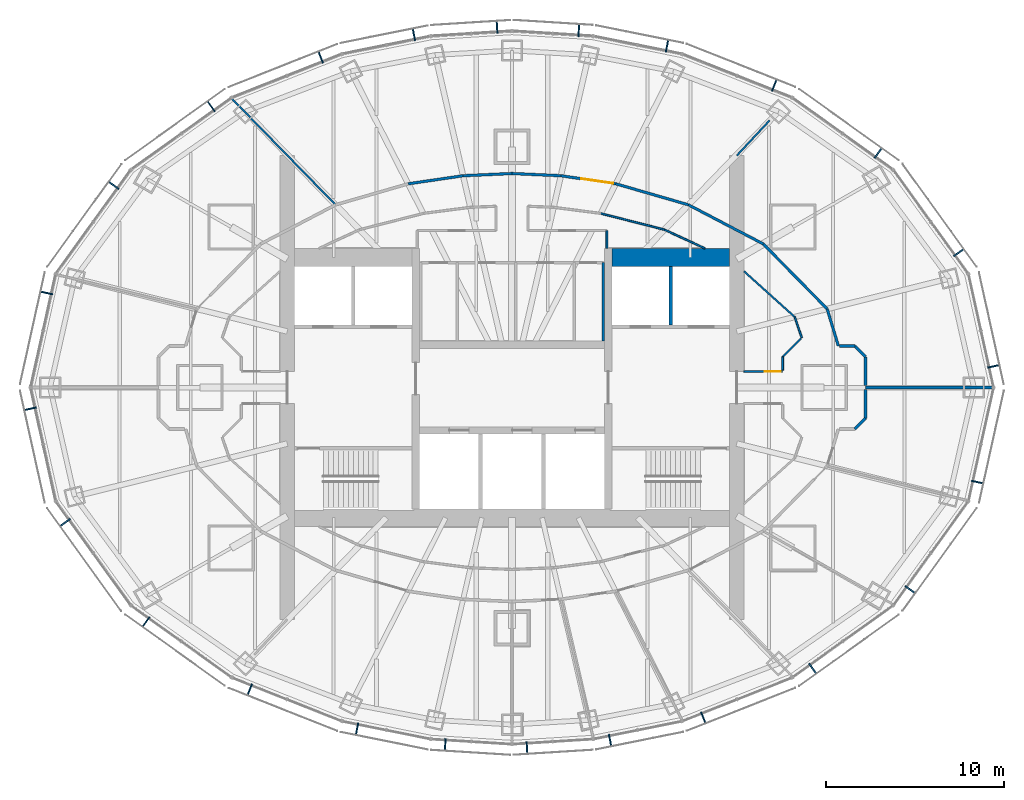
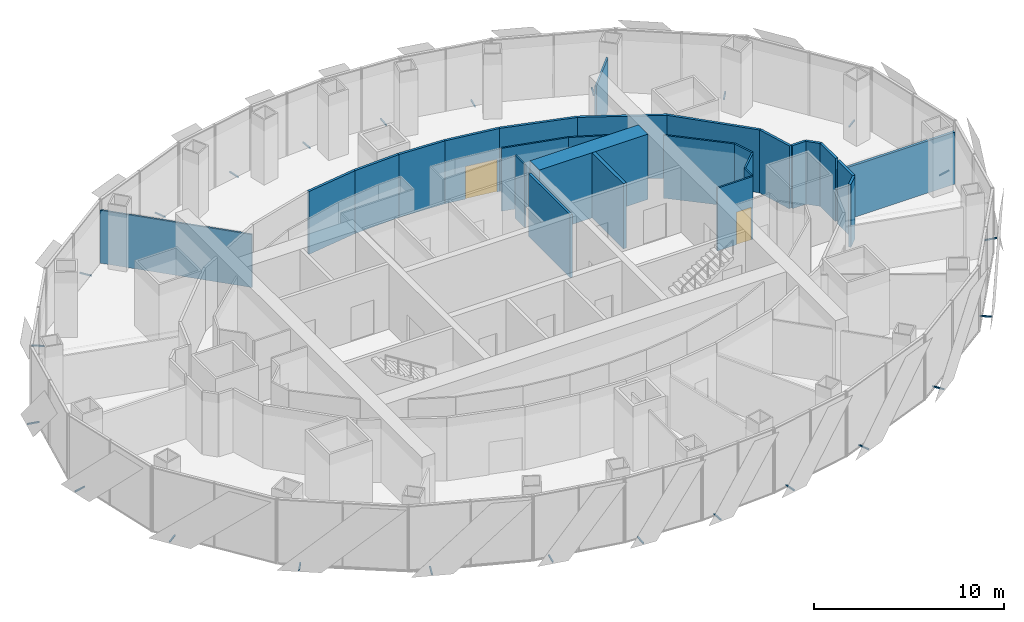
# One storey, part 14 of 17: 27 walls, 24 discrete accessories, 2 doors, 2 openings.
"""IFC4 building model written with IfcOpenShell, lengths in metres."""

from ifc_helpers import new_model, si_unit, direction, frame, frame_2d, origin, origin_2d, place, context, subcontext, project, spatial, rectangle, extrude, material, layer, layer_set, type_object, element, fill, save


model = new_model("IFC4")

# Units and contexts
model_context = context("Model", 3, precision=1e-05, world=origin(), true_north=direction((0.0, 1.0)))
body_context = subcontext(model_context, "Body", "Model", "MODEL_VIEW")
ifc_project = project(units=[si_unit("LENGTHUNIT", "METRE"), si_unit("AREAUNIT", "SQUARE_METRE"), si_unit("VOLUMEUNIT", "CUBIC_METRE"), si_unit("PLANEANGLEUNIT", "RADIAN"), si_unit("MASSUNIT", "GRAM", prefix="KILO")], contexts=[model_context])

# Site, building, storey
site_placement = place(None, origin())
site = spatial("IfcSite", under=ifc_project, at=site_placement, CompositionType="ELEMENT")
building_placement = place(site_placement, origin())
building = spatial("IfcBuilding", under=site, at=building_placement, Name="Lantaw Convention Tower", CompositionType="ELEMENT")
storey_placement = place(building_placement, frame((0.0, 0.0, 215.800048828125)))
storey = spatial("IfcBuildingStorey", under=building, at=storey_placement, Name="L50", CompositionType="ELEMENT", Elevation=215.800048828125)

# Walls
ifc_material_1 = material(Name="Concrete C60/75", Category="concrete")
ifc_layer_1 = layer(ifc_material_1, 1.0)
ifc_layer_set_1 = layer_set([ifc_layer_1], Name="Core wall 1000")
wall_type_1 = type_object("IfcWallType", Name="Core wall 1000", PredefinedType="SHEAR", material=ifc_layer_set_1)
wall_1_placement = place(storey_placement, frame((12.199951171875, 7.300048828125, 0.0), z_axis=(0.0, 0.0, 1.0), x_axis=(-1.0, 0.0, 0.0)))
element("IfcWall", 1, at=wall_1_placement, inside=storey, type_object=wall_type_1, Name="Core wall NE", PredefinedType="SHEAR", context=body_context, shape_type="SweptSolid", body=[
    extrude(rectangle(XDim=6.599853515625, YDim=1.0, at=frame_2d((3.2998046875, 0.0))), origin(), (0.0, 0.0, 1.0), 4.199951171875),
])
ifc_material_2 = material(Name="Gypsum board on steel studs, fire rated", Category="steel")
ifc_layer_2 = layer(ifc_material_2, 0.14990234375)
ifc_layer_set_2 = layer_set([ifc_layer_2], Name="Corridor wall 150 EI 60")
wall_type_2 = type_object("IfcWallType", Name="Corridor wall 150 EI 60", PredefinedType="PARTITIONING", material=ifc_layer_set_2)
wall_2_placement = place(storey_placement, frame((17.6728515625, 4.40625, 0.0), z_axis=(0.0, 0.0, 1.0), x_axis=(-0.701111216625, 0.713051934941, 0.0)))
element("IfcWall", 2, at=wall_2_placement, inside=storey, type_object=wall_type_2, Name="Corridor wall 150", PredefinedType="PARTITIONING", context=body_context, shape_type="SweptSolid", body=[
    extrude(rectangle(XDim=5.111572265625, YDim=0.14990234375, at=frame_2d((2.5556640625, 0.0))), origin(), (0.0, 0.0, 1.0), 4.050048828125),
])
wall_3_placement = place(storey_placement, frame((14.089111328125, 8.051025390625, 0.0), z_axis=(0.0, 0.0, 1.0), x_axis=(-0.886174439647, 0.463351769735, 0.0)))
element("IfcWall", 3, at=wall_3_placement, inside=storey, type_object=wall_type_2, Name="Corridor wall 150", PredefinedType="PARTITIONING", context=body_context, shape_type="SweptSolid", body=[
    extrude(rectangle(XDim=4.734619140625, YDim=0.14990234375, at=frame_2d((2.3671875, 0.0))), origin(), (0.0, 0.0, 1.0), 4.050048828125),
])
wall_4_placement = place(storey_placement, frame((9.893310546875, 10.244873046875, 0.0), z_axis=(0.0, 0.0, 1.0), x_axis=(-0.960614838378, 0.27788330696, 0.0)))
element("IfcWall", 4, at=wall_4_placement, inside=storey, type_object=wall_type_2, Name="Corridor wall 150", PredefinedType="PARTITIONING", context=body_context, shape_type="SweptSolid", body=[
    extrude(rectangle(XDim=4.239990234375, YDim=0.14990234375, at=frame_2d((2.1201171875, 0.0))), origin(), (0.0, 0.0, 1.0), 4.050048828125),
])

# Wall, opening, door
wall_5_placement = place(storey_placement, frame((5.8203125, 11.423095703125, 0.0), z_axis=(0.0, 0.0, 1.0), x_axis=(-0.989421822189, 0.145067080265, 0.0)))
wall_5 = element("IfcWall", 5, at=wall_5_placement, inside=storey, type_object=wall_type_2, Name="Corridor wall 150", PredefinedType="PARTITIONING", context=body_context, shape_type="SweptSolid", body=[
    extrude(rectangle(XDim=3.11181640625, YDim=0.14990234375, at=frame_2d((1.555908203125, 0.0))), origin(), (0.0, 0.0, 1.0), 4.050048828125),
])
opening_1_placement = place(wall_5_placement, frame((0.14990234375, 0.0, 0.0)))
opening_1 = element("IfcOpeningElement", 6, at=opening_1_placement, cuts=wall_5, Name="Opening L50.25", PredefinedType="OPENING", context=body_context, shape_type="SweptSolid", body=[
    extrude(rectangle(XDim=1.800048828125, YDim=2.10009765625, at=frame_2d((0.89990234375, 1.050048828125))), frame((0.0, 0.0849609375, 0.0), z_axis=(0.0, -1.0, 0.0), x_axis=(1.0, 0.0, 0.0)), (0.0, 0.0, 1.0), 0.169921875),
])
ifc_material_3 = material(Name="Steel, fire rated", Category="steel")
door_type_1 = type_object("IfcDoorType", Name="Office double door 1800 FD30", OperationType="DOUBLE_DOOR_DOUBLE_SWING", PredefinedType="DOOR", material=ifc_material_3)
door_1_placement = place(opening_1_placement, origin())
door_1 = element("IfcDoor", 7, at=door_1_placement, inside=storey, type_object=door_type_1, Name="Open office door", OperationType="DOUBLE_DOOR_DOUBLE_SWING", OverallHeight=2.10009765625, OverallWidth=1.800048828125, PredefinedType="DOOR", context=body_context, shape_type="SweptSolid", body=[
    extrude(rectangle(XDim=1.800048828125, YDim=2.10009765625, at=frame_2d((0.89990234375, 1.050048828125))), frame((0.0, 0.02490234375, 0.0), z_axis=(0.0, -1.0, 0.0), x_axis=(1.0, 0.0, 0.0)), (0.0, 0.0, 1.0), 0.050048828125),
])
fill(opening_1, door_1)

# Walls
for number, where, z_axis, x_axis, name in (
    (8, (2.741455078125, 11.87451171875, 0.0), (0.0, 0.0, 1.0), (-0.998953998629, 0.045726454297, 0.0), "Corridor wall 150"),
    (9, (0.0, 12.0, 0.0), (0.0, 0.0, 1.0), (-0.998953998629, -0.045726454297, 0.0), "Corridor wall 150"),
):
    element("IfcWall", number, at=place(storey_placement, frame(where, z_axis=z_axis, x_axis=x_axis)), inside=storey, type_object=wall_type_2, Name=name, PredefinedType="PARTITIONING", context=body_context, shape_type="SweptSolid", body=[
        extrude(rectangle(XDim=2.744384765625, YDim=0.14990234375, at=frame_2d((1.3720703125, 0.0))), origin(), (0.0, 0.0, 1.0), 4.050048828125),
    ])
wall_6_placement = place(storey_placement, frame((-2.741455078125, 11.87451171875, 0.0), z_axis=(0.0, 0.0, 1.0), x_axis=(-0.989421822189, -0.145067080265, 0.0)))
element("IfcWall", 10, at=wall_6_placement, inside=storey, type_object=wall_type_2, Name="Corridor wall 150", PredefinedType="PARTITIONING", context=body_context, shape_type="SweptSolid", body=[
    extrude(rectangle(XDim=3.11181640625, YDim=0.14990234375, at=frame_2d((1.555908203125, 0.0))), origin(), (0.0, 0.0, 1.0), 4.050048828125),
])
wall_7_placement = place(storey_placement, frame((18.296630859375, 2.3349609375, 0.0), z_axis=(0.0, 0.0, 1.0), x_axis=(-0.288362447016, 0.957521330912, 0.0)))
element("IfcWall", 11, at=wall_7_placement, inside=storey, type_object=wall_type_2, Name="Corridor wall 150", PredefinedType="PARTITIONING", context=body_context, shape_type="SweptSolid", body=[
    extrude(rectangle(XDim=2.1630859375, YDim=0.14990234375, at=frame_2d((1.08154296875, 0.0))), origin(), (0.0, 0.0, 1.0), 4.050048828125),
])
wall_8_placement = place(storey_placement, frame((18.367431640625, 2.324951171875, 0.0), z_axis=(0.0, 0.0, 1.0), x_axis=(1.0, 0.0, 0.0)))
element("IfcWall", 12, at=wall_8_placement, inside=storey, type_object=wall_type_2, Name="Corridor wall 150", PredefinedType="PARTITIONING", context=body_context, shape_type="SweptSolid", body=[
    extrude(rectangle(XDim=0.857177734375, YDim=0.14990234375, at=frame_2d((0.4287109375, 0.0))), origin(), (0.0, 0.0, 1.0), 4.050048828125),
])
wall_9_placement = place(storey_placement, frame((19.224609375, 2.324951171875, 0.0), z_axis=(0.0, 0.0, 1.0), x_axis=(0.707106781187, -0.707106781187, 0.0)))
element("IfcWall", 13, at=wall_9_placement, inside=storey, type_object=wall_type_2, Name="Corridor wall 150", PredefinedType="PARTITIONING", context=body_context, shape_type="SweptSolid", body=[
    extrude(rectangle(XDim=0.84912109375, YDim=0.14990234375, at=frame_2d((0.424560546875, 0.0))), origin(), (0.0, 0.0, 1.0), 4.050048828125),
])
for number, where, z_axis, x_axis, name in (
    (14, (19.824951171875, 1.724609375, 0.0), (0.0, 0.0, 1.0), (0.0, -1.0, 0.0), "Corridor wall 150"),
    (15, (19.824951171875, -0.103271484375, 0.0), (0.0, 0.0, 1.0), (0.0, -1.0, 0.0), "Corridor wall 150"),
):
    element("IfcWall", number, at=place(storey_placement, frame(where, z_axis=z_axis, x_axis=x_axis)), inside=storey, type_object=wall_type_2, Name=name, PredefinedType="PARTITIONING", context=body_context, shape_type="SweptSolid", body=[
        extrude(rectangle(XDim=1.621337890625, YDim=0.14990234375, at=frame_2d((0.810546875, 0.0))), origin(), (0.0, 0.0, 1.0), 4.050048828125),
    ])
wall_10_placement = place(storey_placement, frame((19.824951171875, -1.724609375, 0.0), z_axis=(0.0, 0.0, 1.0), x_axis=(-0.707106781187, -0.707106781187, 0.0)))
element("IfcWall", 16, at=wall_10_placement, inside=storey, type_object=wall_type_2, Name="Corridor wall 150", PredefinedType="PARTITIONING", context=body_context, shape_type="SweptSolid", body=[
    extrude(rectangle(XDim=0.84912109375, YDim=0.14990234375, at=frame_2d((0.424560546875, 0.0))), origin(), (0.0, 0.0, 1.0), 4.050048828125),
])
ifc_material_4 = material(Name="Gypsum board on steel studs, acoustic", Category="steel")
ifc_layer_3 = layer(ifc_material_4, 0.10009765625)
ifc_layer_set_3 = layer_set([ifc_layer_3], Name="Office partition 100")
wall_type_3 = type_object("IfcWallType", Name="Office partition 100", PredefinedType="PARTITIONING", material=ifc_layer_set_3)
wall_11_placement = place(storey_placement, frame((-15.709228515625, 16.198974609375, 0.0), z_axis=(0.0, 0.0, 1.0), x_axis=(0.69875697861, -0.715359129978, 0.0)))
element("IfcWall", 17, at=wall_11_placement, inside=storey, type_object=wall_type_3, Name="Office partition 100", PredefinedType="PARTITIONING", context=body_context, shape_type="SweptSolid", body=[
    extrude(rectangle(XDim=8.3232421875, YDim=0.10009765625, at=frame_2d((4.16162109375, 0.0))), origin(), (0.0, 0.0, 1.0), 3.409912109375),
])
wall_12_placement = place(storey_placement, frame((13.0, 6.5244140625, 0.0), z_axis=(0.0, 0.0, 1.0), x_axis=(0.743177243228, -0.669094601046, 0.0)))
element("IfcWall", 18, at=wall_12_placement, inside=storey, type_object=wall_type_3, Name="Office partition 100", PredefinedType="PARTITIONING", context=body_context, shape_type="SweptSolid", body=[
    extrude(rectangle(XDim=3.842529296875, YDim=0.10009765625, at=frame_2d((1.92138671875, 0.0))), origin(), (0.0, 0.0, 1.0), 4.050048828125),
])
wall_13_placement = place(storey_placement, frame((5.320068359375, 7.800048828125, 0.0), z_axis=(0.0, 0.0, 1.0), x_axis=(0.0, 1.0, 0.0)))
element("IfcWall", 19, at=wall_13_placement, inside=storey, type_object=wall_type_3, Name="Office partition 100", PredefinedType="PARTITIONING", context=body_context, shape_type="SweptSolid", body=[
    extrude(rectangle(XDim=1.0, YDim=0.10009765625, at=frame_2d((0.5, 0.0))), origin(), (0.0, 0.0, 1.0), 4.050048828125),
])
wall_14_placement = place(storey_placement, frame((4.97509765625, 9.763916015625, 0.0), z_axis=(0.0, 0.0, 1.0), x_axis=(0.968887312542, -0.247502273921, 0.0)))
element("IfcWall", 20, at=wall_14_placement, inside=storey, type_object=wall_type_3, Name="Office partition 100", PredefinedType="PARTITIONING", context=body_context, shape_type="SweptSolid", body=[
    extrude(rectangle(XDim=3.687255859375, YDim=0.10009765625, at=frame_2d((1.84375, 0.0))), origin(), (0.0, 0.0, 1.0), 4.050048828125),
])
wall_15_placement = place(storey_placement, frame((8.547607421875, 8.851318359375, 0.0), z_axis=(0.0, 0.0, 1.0), x_axis=(0.907759689292, -0.419490579748, 0.0)))
element("IfcWall", 21, at=wall_15_placement, inside=storey, type_object=wall_type_3, Name="Office partition 100", PredefinedType="PARTITIONING", context=body_context, shape_type="SweptSolid", body=[
    extrude(rectangle(XDim=2.506103515625, YDim=0.10009765625, at=frame_2d((1.2529296875, 0.0))), origin(), (0.0, 0.0, 1.0), 4.050048828125),
])
wall_16_placement = place(storey_placement, frame((12.60009765625, 13.0, 0.0), z_axis=(0.0, 0.0, 1.0), x_axis=(0.682434118301, 0.730947107648, 0.0)))
element("IfcWall", 22, at=wall_16_placement, inside=storey, type_object=wall_type_3, Name="Office partition 100", PredefinedType="PARTITIONING", context=body_context, shape_type="SweptSolid", body=[
    extrude(rectangle(XDim=2.702392578125, YDim=0.10009765625, at=frame_2d((1.35107421875, 0.0))), origin(), (0.0, 0.0, 1.0), 3.409912109375),
])
wall_17_placement = place(storey_placement, frame((15.855712890625, 3.953369140625, 0.0), z_axis=(0.0, 0.0, 1.0), x_axis=(0.321913473529, -0.946769093053, 0.0)))
element("IfcWall", 23, at=wall_17_placement, inside=storey, type_object=wall_type_3, Name="Office partition 100", PredefinedType="PARTITIONING", context=body_context, shape_type="SweptSolid", body=[
    extrude(rectangle(XDim=1.22265625, YDim=0.10009765625, at=frame_2d((0.611328125, 0.0))), origin(), (0.0, 0.0, 1.0), 4.050048828125),
])

# Wall, opening, door
wall_18_placement = place(storey_placement, frame((15.1650390625, 0.89990234375, 0.0), z_axis=(0.0, 0.0, 1.0), x_axis=(-1.0, 0.0, 0.0)))
wall_18 = element("IfcWall", 24, at=wall_18_placement, inside=storey, type_object=wall_type_3, Name="Office partition 100", PredefinedType="PARTITIONING", context=body_context, shape_type="SweptSolid", body=[
    extrude(rectangle(XDim=2.1650390625, YDim=0.10009765625, at=frame_2d((1.08251953125, 0.0))), origin(), (0.0, 0.0, 1.0), 4.050048828125),
])
opening_2_placement = place(wall_18_placement, frame((0.10009765625, 0.0, 0.0)))
opening_2 = element("IfcOpeningElement", 25, at=opening_2_placement, cuts=wall_18, Name="Opening L50.21", PredefinedType="OPENING", context=body_context, shape_type="SweptSolid", body=[
    extrude(rectangle(XDim=0.89990234375, YDim=2.10009765625, at=frame_2d((0.449951171875, 1.050048828125))), frame((0.0, 0.06005859375, 0.0), z_axis=(0.0, -1.0, 0.0), x_axis=(1.0, 0.0, 0.0)), (0.0, 0.0, 1.0), 0.1201171875),
])
ifc_material_5 = material(Name="Timber", Category="wood")
door_type_2 = type_object("IfcDoorType", Name="Office door 900", OperationType="SINGLE_SWING_LEFT", PredefinedType="DOOR", material=ifc_material_5)
door_2_placement = place(opening_2_placement, origin())
door_2 = element("IfcDoor", 26, at=door_2_placement, inside=storey, type_object=door_type_2, Name="Meeting room door", OperationType="SINGLE_SWING_LEFT", OverallHeight=2.10009765625, OverallWidth=0.89990234375, PredefinedType="DOOR", context=body_context, shape_type="SweptSolid", body=[
    extrude(rectangle(XDim=0.89990234375, YDim=2.10009765625, at=frame_2d((0.449951171875, 1.050048828125))), frame((0.0, 0.02490234375, 0.0), z_axis=(0.0, -1.0, 0.0), x_axis=(1.0, 0.0, 0.0)), (0.0, 0.0, 1.0), 0.050048828125),
])
fill(opening_2, door_2)

# Walls
wall_19_placement = place(storey_placement, frame((15.175048828125, 0.978271484375, 0.0), z_axis=(0.0, 0.0, 1.0), x_axis=(0.0, 1.0, 0.0)))
element("IfcWall", 27, at=wall_19_placement, inside=storey, type_object=wall_type_3, Name="Office partition 100", PredefinedType="PARTITIONING", context=body_context, shape_type="SweptSolid", body=[
    extrude(rectangle(XDim=0.746337890625, YDim=0.10009765625, at=frame_2d((0.373046875, 0.0))), origin(), (0.0, 0.0, 1.0), 4.050048828125),
])
wall_20_placement = place(storey_placement, frame((15.175048828125, 1.724609375, 0.0), z_axis=(0.0, 0.0, 1.0), x_axis=(0.712897698193, 0.701268045694, 0.0)))
element("IfcWall", 28, at=wall_20_placement, inside=storey, type_object=wall_type_3, Name="Office partition 100", PredefinedType="PARTITIONING", context=body_context, shape_type="SweptSolid", body=[
    extrude(rectangle(XDim=1.469482421875, YDim=0.10009765625, at=frame_2d((0.73486328125, 0.0))), origin(), (0.0, 0.0, 1.0), 4.050048828125),
])
ifc_material_6 = material(Name="Concrete blockwork, fire rated", Category="masonry")
ifc_layer_4 = layer(ifc_material_6, 0.199951171875)
ifc_layer_set_4 = layer_set([ifc_layer_4], Name="Shaft wall 200")
wall_type_4 = type_object("IfcWallType", Name="Shaft wall 200", PredefinedType="SOLIDWALL", material=ifc_layer_set_4)
wall_21_placement = place(storey_placement, frame((8.89990234375, 3.5, 0.0), z_axis=(0.0, 0.0, 1.0), x_axis=(0.0, 1.0, 0.0)))
element("IfcWall", 29, at=wall_21_placement, inside=storey, type_object=wall_type_4, Name="Shaft wall ED", PredefinedType="SOLIDWALL", context=body_context, shape_type="SweptSolid", body=[
    extrude(rectangle(XDim=3.300048828125, YDim=0.199951171875, at=frame_2d((1.64990234375, 0.0))), origin(), (0.0, 0.0, 1.0), 4.199951171875),
])
ifc_layer_5 = layer(ifc_material_2, 0.14990234375)
ifc_layer_set_5 = layer_set([ifc_layer_5], Name="Tenant separation wall 150 EI 60")
wall_type_5 = type_object("IfcWallType", Name="Tenant separation wall 150 EI 60", PredefinedType="PARTITIONING", material=ifc_layer_set_5)
wall_22_placement = place(storey_placement, frame((26.944091796875, 0.0, 0.0), z_axis=(0.0, 0.0, 1.0), x_axis=(-1.0, 0.0, 0.0)))
element("IfcWall", 30, at=wall_22_placement, inside=storey, type_object=wall_type_5, Name="Tenant separation wall 150", PredefinedType="PARTITIONING", context=body_context, shape_type="SweptSolid", body=[
    extrude(rectangle(XDim=7.109130859375, YDim=0.14990234375, at=frame_2d((3.5546875, 0.0))), origin(), (0.0, 0.0, 1.0), 3.348876953125),
])
ifc_material_7 = material(Name="Concrete blockwork", Category="masonry")
ifc_layer_6 = layer(ifc_material_7, 0.14990234375)
ifc_layer_set_6 = layer_set([ifc_layer_6], Name="WC wall 150")
wall_type_6 = type_object("IfcWallType", Name="WC wall 150", PredefinedType="SOLIDWALL", material=ifc_layer_set_6)
wall_23_placement = place(storey_placement, frame((5.1201171875, 2.60009765625, 0.0), z_axis=(0.0, 0.0, 1.0), x_axis=(0.0, 1.0, 0.0)))
element("IfcWall", 31, at=wall_23_placement, inside=storey, type_object=wall_type_6, Name="WC wall 150", PredefinedType="SOLIDWALL", context=body_context, shape_type="SweptSolid", body=[
    extrude(rectangle(XDim=4.39990234375, YDim=0.14990234375, at=frame_2d((2.199951171875, 0.0))), origin(), (0.0, 0.0, 1.0), 4.050048828125),
])

# Discrete accessories
for number, where, z_axis, x_axis, name in (
    (32, (27.002197265625, 1.189453125, -0.114990234375), (0.0, 0.0, 1.0), (-0.215891333626, 0.976417396437, 0.0), "Screen bracket"),
    (33, (25.05419921875, 7.564453125, -0.114990234375), (0.0, 0.0, 1.0), (-0.585157643865, 0.810919559405, 0.0), "Screen bracket"),
    (34, (20.524169921875, 13.14453125, -0.114990234375), (0.0, 0.0, 1.0), (-0.813672540482, 0.581323487281, 0.0), "Screen bracket"),
    (35, (14.707763671875, 16.94140625, -0.114990234375), (0.0, 0.0, 1.0), (-0.929761533743, 0.368162315252, 0.0), "Screen bracket"),
    (36, (8.68896484375, 19.145751953125, -0.114990234375), (0.0, 0.0, 1.0), (-0.980366679695, 0.197183095987, 0.0), "Screen bracket"),
    (37, (3.743896484375, 20.024169921875, -0.114990234375), (0.0, 0.0, 1.0), (-0.998028774865, 0.062757983884, 0.0), "Screen bracket"),
    (38, (-0.83984375, 20.206787109375, -0.114990234375), (0.0, 0.0, 1.0), (-0.998028774865, -0.062757983884, 0.0), "Screen bracket"),
    (39, (-5.49853515625, 19.78759765625, -0.114990234375), (0.0, 0.0, 1.0), (-0.980366679695, -0.197183095987, 0.0), "Screen bracket"),
    (40, (-10.7255859375, 18.518310546875, -0.114990234375), (0.0, 0.0, 1.0), (-0.929761533743, -0.368162315252, 0.0), "Screen bracket"),
    (41, (-16.863525390625, 15.759765625, -0.114990234375), (0.0, 0.0, 1.0), (-0.813672540482, -0.581323487281, 0.0), "Screen bracket"),
    (42, (-22.333251953125, 11.3349609375, -0.114990234375), (0.0, 0.0, 1.0), (-0.585157643865, -0.810919559405, 0.0), "Screen bracket"),
    (43, (-26.0927734375, 5.302490234375, -0.114990234375), (0.0, 0.0, 1.0), (-0.215891333626, -0.976417396437, 0.0), "Screen bracket"),
    (44, (-27.002197265625, -1.189453125, -0.114990234375), (0.0, 0.0, 1.0), (0.215891333626, -0.976417396437, 0.0), "Screen bracket"),
    (45, (-25.05419921875, -7.564453125, -0.114990234375), (0.0, 0.0, 1.0), (0.585157643865, -0.810919559405, 0.0), "Screen bracket"),
    (46, (-20.524169921875, -13.14453125, -0.114990234375), (0.0, 0.0, 1.0), (0.813672540482, -0.581323487281, 0.0), "Screen bracket"),
    (47, (-14.707763671875, -16.94140625, -0.114990234375), (0.0, 0.0, 1.0), (0.929761533743, -0.368162315252, 0.0), "Screen bracket"),
    (48, (-8.68896484375, -19.145751953125, -0.114990234375), (0.0, 0.0, 1.0), (0.980366679695, -0.197183095987, 0.0), "Screen bracket"),
    (49, (-3.743896484375, -20.024169921875, -0.114990234375), (0.0, 0.0, 1.0), (0.998028774865, -0.062757983884, 0.0), "Screen bracket"),
    (50, (0.83984375, -20.206787109375, -0.114990234375), (0.0, 0.0, 1.0), (0.998028774865, 0.062757983884, 0.0), "Screen bracket"),
    (51, (5.49853515625, -19.78759765625, -0.114990234375), (0.0, 0.0, 1.0), (0.980366679695, 0.197183095987, 0.0), "Screen bracket"),
    (52, (10.7255859375, -18.518310546875, -0.114990234375), (0.0, 0.0, 1.0), (0.929761533743, 0.368162315252, 0.0), "Screen bracket"),
    (53, (16.863525390625, -15.759765625, -0.114990234375), (0.0, 0.0, 1.0), (0.813672540482, 0.581323487281, 0.0), "Screen bracket"),
    (54, (22.333251953125, -11.3349609375, -0.114990234375), (0.0, 0.0, 1.0), (0.585157643865, 0.810919559405, 0.0), "Screen bracket"),
    (55, (26.0927734375, -5.302490234375, -0.114990234375), (0.0, 0.0, 1.0), (0.215891333626, 0.976417396437, 0.0), "Screen bracket"),
):
    element("IfcDiscreteAccessory", number, at=place(storey_placement, frame(where, z_axis=z_axis, x_axis=x_axis)), inside=storey, Name=name, PredefinedType="BRACKET", context=body_context, shape_type="SweptSolid", body=[
        extrude(rectangle(XDim=0.080078125, YDim=0.68798828125, at=origin_2d()), origin(), (0.0, 0.0, 1.0), 0.080078125),
    ])

save(model, "model.ifc")
